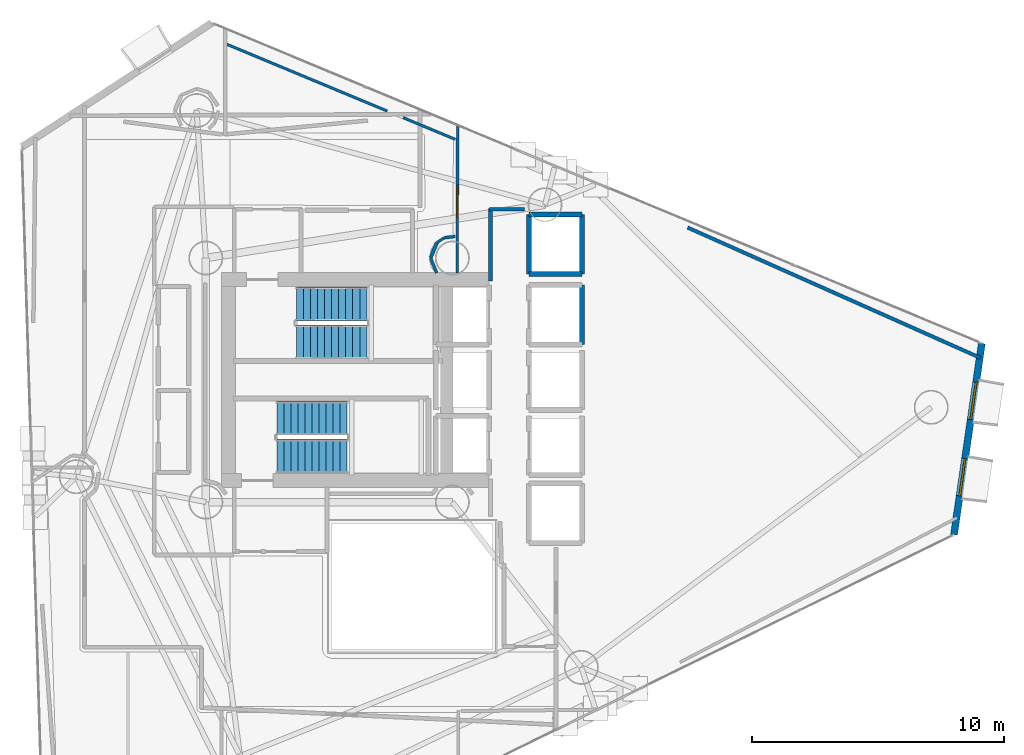
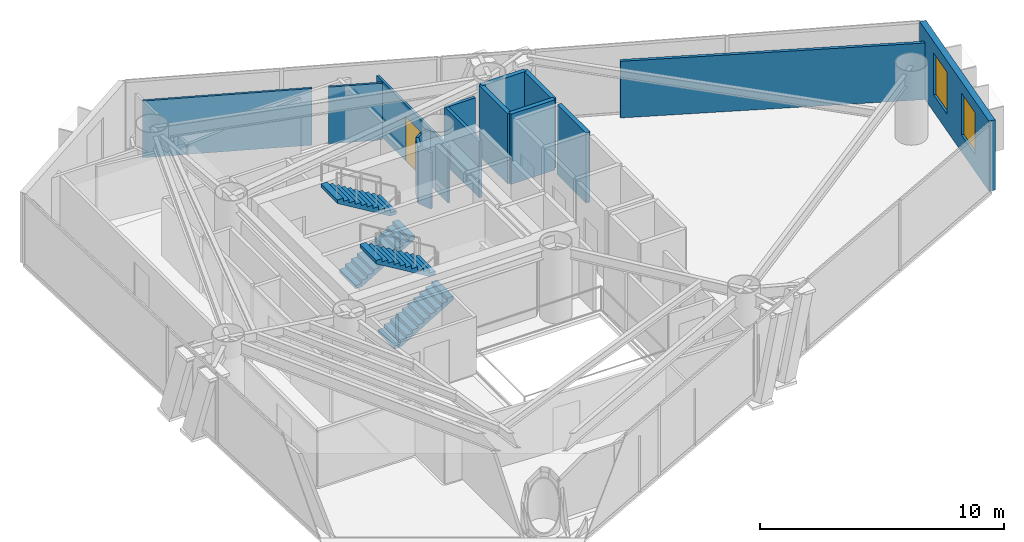
# One storey, part 21 of 23: 16 walls, 4 stair flights, 2 windows, 1 door, 3 openings, 2 elements without a shape of their own.
"""IFC4 building model written with IfcOpenShell, lengths in metres."""

from ifc_helpers import new_model, si_unit, direction, frame, frame_2d, origin, place, context, subcontext, project, spatial, polyline, rectangle, outline, extrude, material, layer, layer_set, type_object, element, fill, aggregate, save


model = new_model("IFC4")

# Units and contexts
model_context = context("Model", 3, precision=1e-05, world=origin(), true_north=direction((0.0, 1.0)))
body_context = subcontext(model_context, "Body", "Model", "MODEL_VIEW")
ifc_project = project(units=[si_unit("LENGTHUNIT", "METRE"), si_unit("AREAUNIT", "SQUARE_METRE"), si_unit("VOLUMEUNIT", "CUBIC_METRE"), si_unit("PLANEANGLEUNIT", "RADIAN"), si_unit("MASSUNIT", "GRAM", prefix="KILO")], contexts=[model_context])

# Site, building, storey
site_placement = place(None, origin())
site = spatial("IfcSite", under=ifc_project, at=site_placement, CompositionType="ELEMENT")
building_placement = place(site_placement, origin())
building = spatial("IfcBuilding", under=site, at=building_placement, Name="Qianvela Tower", CompositionType="ELEMENT")
storey_placement = place(building_placement, frame((0.0, 0.0, 162.39990234375)))
storey = spatial("IfcBuildingStorey", under=building, at=storey_placement, Name="L41", CompositionType="ELEMENT", Elevation=162.39990234375)

# Wall, openings, windows
ifc_material_1 = material(Name="Terracotta Cladding on Concrete C40", Category="masonry")
ifc_layer_1 = layer(ifc_material_1, 0.280029296875)
ifc_layer_set_1 = layer_set([ifc_layer_1], Name="Terracotta Cladding on Concrete C40")
wall_type_1 = type_object("IfcWallType", Name="TERRACOTTA-WALL-280", PredefinedType="SOLIDWALL", material=ifc_layer_set_1)
wall_1_placement = place(storey_placement, frame((58.3408203125, 22.55419921875, 0.0), z_axis=(0.0, 0.0, 1.0), x_axis=(0.143708360634, 0.989620082195, 0.0)))
wall_1 = element("IfcWall", 1, at=wall_1_placement, inside=storey, type_object=wall_type_1, Name="L41 Terracotta Chamfer Facet Wall 1", PredefinedType="SOLIDWALL", context=body_context, shape_type="SweptSolid", body=[
    extrude(rectangle(XDim=7.6806640625, YDim=0.280029296875, at=frame_2d((3.84033203125, 0.0))), origin(), (0.0, 0.0, 1.0), 3.52001953125),
])
opening_1_placement = place(wall_1_placement, frame((1.55419921875, 0.0, 0.85009765625)))
opening_1 = element("IfcOpeningElement", 2, at=opening_1_placement, cuts=wall_1, Name="Opening W-02", PredefinedType="OPENING", context=body_context, shape_type="SweptSolid", body=[
    extrude(rectangle(XDim=1.5, YDim=2.10009765625, at=frame_2d((0.75, 1.050048828125))), frame((0.0, 0.14990234375, 0.0), z_axis=(0.0, -1.0, 0.0), x_axis=(1.0, 0.0, 0.0)), (0.0, 0.0, 1.0), 0.300048828125),
])
opening_2_placement = place(wall_1_placement, frame((4.626220703125, 0.0, 0.85009765625)))
opening_2 = element("IfcOpeningElement", 3, at=opening_2_placement, cuts=wall_1, Name="Opening W-02", PredefinedType="OPENING", context=body_context, shape_type="SweptSolid", body=[
    extrude(rectangle(XDim=1.5, YDim=2.10009765625, at=frame_2d((0.75, 1.050048828125))), frame((0.0, 0.14990234375, 0.0), z_axis=(0.0, -1.0, 0.0), x_axis=(1.0, 0.0, 0.0)), (0.0, 0.0, 1.0), 0.300048828125),
])
ifc_material_2 = material(Name="Thermally Broken Aluminium and Low-E Glass", Category="aluminium")
window_type = type_object("IfcWindowType", Name="WIN-TC-1500x2100", PartitioningType="DOUBLE_PANEL_VERTICAL", PredefinedType="WINDOW", material=ifc_material_2)
window_1_placement = place(opening_1_placement, origin())
window_1 = element("IfcWindow", 4, at=window_1_placement, inside=storey, type_object=window_type, Name="L41 Chamfer Facet Window 1.1", OverallHeight=2.10009765625, OverallWidth=1.5, PartitioningType="SINGLE_PANEL", PredefinedType="WINDOW", context=body_context, shape_type="SweptSolid", body=[
    extrude(rectangle(XDim=1.5, YDim=2.10009765625, at=frame_2d((0.75, 1.050048828125))), frame((0.0, 0.030029296875, 0.0), z_axis=(0.0, -1.0, 0.0), x_axis=(1.0, 0.0, 0.0)), (0.0, 0.0, 1.0), 0.06005859375),
])
fill(opening_1, window_1)
window_2_placement = place(opening_2_placement, origin())
window_2 = element("IfcWindow", 5, at=window_2_placement, inside=storey, type_object=window_type, Name="L41 Chamfer Facet Window 1.2", OverallHeight=2.10009765625, OverallWidth=1.5, PartitioningType="SINGLE_PANEL", PredefinedType="WINDOW", context=body_context, shape_type="SweptSolid", body=[
    extrude(rectangle(XDim=1.5, YDim=2.10009765625, at=frame_2d((0.75, 1.050048828125))), frame((0.0, 0.030029296875, 0.0), z_axis=(0.0, -1.0, 0.0), x_axis=(1.0, 0.0, 0.0)), (0.0, 0.0, 1.0), 0.06005859375),
])
fill(opening_2, window_2)

# Walls
ifc_material_3 = material(Name="Fire-Rated Acoustic Gypsum Board")
ifc_layer_2 = layer(ifc_material_3, 0.14990234375)
ifc_layer_set_2 = layer_set([ifc_layer_2], Name="Fire-Rated Acoustic Gypsum Board")
wall_type_2 = type_object("IfcWallType", Name="WT-CORR-150", PredefinedType="PARTITIONING", material=ifc_layer_set_2)
wall_2_placement = place(storey_placement, frame((39.910888671875, 32.639892578125, 0.0), z_axis=(0.0, 0.0, 1.0), x_axis=(0.0, 1.0, 0.0)))
element("IfcWall", 6, at=wall_2_placement, inside=storey, type_object=wall_type_2, Name="L41 Partition 12", PredefinedType="PARTITIONING", context=body_context, shape_type="SweptSolid", body=[
    extrude(rectangle(XDim=2.880126953125, YDim=0.14990234375, at=frame_2d((1.43994140625, 0.0))), origin(), (0.0, 0.0, 1.0), 2.840087890625),
])
wall_3_placement = place(storey_placement, frame((39.8798828125, 35.489013671875, 0.0), z_axis=(0.0, 0.0, 1.0), x_axis=(1.0, 0.0, 0.0)))
element("IfcWall", 7, at=wall_3_placement, inside=storey, type_object=wall_type_2, Name="L41 Partition 13", PredefinedType="PARTITIONING", context=body_context, shape_type="SweptSolid", body=[
    extrude(rectangle(XDim=1.3828125, YDim=0.14990234375, at=frame_2d((0.69140625, 0.0))), origin(), (0.0, 0.0, 1.0), 2.840087890625),
])

# Wall, opening, door
ifc_material_4 = material(Name="Lightweight Gypsum Room Partition")
ifc_layer_3 = layer(ifc_material_4, 0.10498046875)
ifc_layer_set_3 = layer_set([ifc_layer_3], Name="Lightweight Gypsum Room Partition")
wall_type_3 = type_object("IfcWallType", Name="WT-PART-105", PredefinedType="PARTITIONING", material=ifc_layer_set_3)
wall_4_placement = place(storey_placement, frame((38.59375, 32.9580078125, 0.0), z_axis=(0.0, 0.0, 1.0), x_axis=(0.002446602671, 0.999997007063, 0.0)))
wall_4 = element("IfcWall", 8, at=wall_4_placement, inside=storey, type_object=wall_type_3, Name="L41 Partition 94", PredefinedType="PARTITIONING", context=body_context, shape_type="SweptSolid", body=[
    extrude(rectangle(XDim=5.887451171875, YDim=0.10498046875, at=frame_2d((2.94384765625, 0.0))), origin(), (0.0, 0.0, 1.0), 2.840087890625),
])
opening_3_placement = place(wall_4_placement, frame((2.234619140625, 0.0, 0.0)))
opening_3 = element("IfcOpeningElement", 9, at=opening_3_placement, cuts=wall_4, Name="Opening D-LG1", PredefinedType="OPENING", context=body_context, shape_type="SweptSolid", body=[
    extrude(rectangle(XDim=1.25, YDim=2.199951171875, at=frame_2d((0.625, 1.10009765625))), frame((0.0, 0.0625, 0.0), z_axis=(0.0, -1.0, 0.0), x_axis=(1.0, 0.0, 0.0)), (0.0, 0.0, 1.0), 0.125),
])
ifc_material_5 = material(Name="Anodised Aluminium Acoustic Glass Door", Category="aluminium")
door_type = type_object("IfcDoorType", Name="DT-LOUNGE-1250", OperationType="NOTDEFINED", PredefinedType="DOOR", material=ifc_material_5)
door_placement = place(opening_3_placement, origin())
door = element("IfcDoor", 10, at=door_placement, inside=storey, type_object=door_type, Name="L41 Door Quiet Reading Study L41-04 to Media Practice Cinema L41-03", OperationType="SINGLE_SWING_LEFT", OverallHeight=2.199951171875, OverallWidth=1.25, PredefinedType="DOOR", context=body_context, shape_type="SweptSolid", body=[
    extrude(rectangle(XDim=1.25, YDim=2.199951171875, at=frame_2d((0.625, 1.10009765625))), frame((0.0, 0.02490234375, 0.0), z_axis=(0.0, -1.0, 0.0), x_axis=(1.0, 0.0, 0.0)), (0.0, 0.0, 1.0), 0.050048828125),
])
fill(opening_3, door)

# Walls
wall_5_placement = place(storey_placement, frame((29.330078125, 42.08935546875, 0.0), z_axis=(0.0, 0.0, 1.0), x_axis=(0.923257907731, -0.384180733265, 0.0)))
element("IfcWall", 11, at=wall_5_placement, inside=storey, type_object=wall_type_3, Name="L41 Partition 112", PredefinedType="PARTITIONING", context=body_context, shape_type="SweptSolid", body=[
    extrude(rectangle(XDim=7.020263671875, YDim=0.10498046875, at=frame_2d((3.51025390625, 0.0))), origin(), (0.0, 0.0, 1.0), 2.840087890625),
])
wall_6_placement = place(storey_placement, frame((38.063232421875, 34.34716796875, 0.0), z_axis=(0.0, 0.0, 1.0), x_axis=(-0.83170430964, -0.555218822922, 0.0)))
element("IfcWall", 12, at=wall_6_placement, inside=storey, type_object=wall_type_3, Name="L41 Partition 115", PredefinedType="PARTITIONING", context=body_context, shape_type="SweptSolid", body=[
    extrude(rectangle(XDim=0.325927734375, YDim=0.10498046875, at=frame_2d((0.1630859375, 0.0))), origin(), (0.0, 0.0, 1.0), 2.840087890625),
])
wall_7_placement = place(storey_placement, frame((36.44140625, 39.13037109375, 0.0), z_axis=(0.0, 0.0, 1.0), x_axis=(0.923215709741, -0.384282127202, 0.0)))
element("IfcWall", 13, at=wall_7_placement, inside=storey, type_object=wall_type_3, Name="L41 Partition 112 trim 1", PredefinedType="PARTITIONING", context=body_context, shape_type="SweptSolid", body=[
    extrude(rectangle(XDim=2.237060546875, YDim=0.10498046875, at=frame_2d((1.11865234375, 0.0))), origin(), (0.0, 0.0, 1.0), 2.840087890625),
])
ifc_material_6 = material(Name="Insulated Gypsum Stud Partition")
ifc_layer_4 = layer(ifc_material_6, 0.1201171875)
ifc_layer_set_4 = layer_set([ifc_layer_4], Name="Insulated Gypsum Stud Partition")
wall_type_4 = type_object("IfcWallType", Name="WT-PART-120", PredefinedType="PARTITIONING", material=ifc_layer_set_4)
wall_8_placement = place(storey_placement, frame((38.501953125, 34.405517578125, 0.0), z_axis=(0.0, 0.0, 1.0), x_axis=(-0.992260340351, -0.124174945004, 0.0)))
element("IfcWall", 14, at=wall_8_placement, inside=storey, type_object=wall_type_4, Name="L41 Partition 114", PredefinedType="PARTITIONING", context=body_context, shape_type="SweptSolid", body=[
    extrude(rectangle(XDim=0.4287109375, YDim=0.1201171875, at=frame_2d((0.21435546875, 0.0))), origin(), (0.0, 0.0, 1.0), 2.840087890625),
])
wall_9_placement = place(storey_placement, frame((37.536376953125, 33.5380859375, 0.0), z_axis=(0.0, 0.0, 1.0), x_axis=(0.382626535499, -0.923903097912, 0.0)))
element("IfcWall", 15, at=wall_9_placement, inside=storey, type_object=wall_type_4, Name="L41 Partition 117", PredefinedType="PARTITIONING", context=body_context, shape_type="SweptSolid", body=[
    extrude(rectangle(XDim=0.6279296875, YDim=0.1201171875, at=frame_2d((0.31396484375, 0.0))), origin(), (0.0, 0.0, 1.0), 2.840087890625),
])
ifc_material_7 = material(Name="Acoustic Double Gypsum Stud Partition")
ifc_layer_5 = layer(ifc_material_7, 0.139892578125)
ifc_layer_set_5 = layer_set([ifc_layer_5], Name="Acoustic Double Gypsum Stud Partition")
wall_type_5 = type_object("IfcWallType", Name="WT-ROOM-140", PredefinedType="PARTITIONING", material=ifc_layer_set_5)
wall_10_placement = place(storey_placement, frame((47.7509765625, 34.760986328125, 0.0), z_axis=(0.0, 0.0, 1.0), x_axis=(0.913601061289, -0.406611732261, 0.0)))
element("IfcWall", 16, at=wall_10_placement, inside=storey, type_object=wall_type_5, Name="L41 Partition 95 seg 2", PredefinedType="PARTITIONING", context=body_context, shape_type="SweptSolid", body=[
    extrude(rectangle(XDim=12.730224609375, YDim=0.139892578125, at=frame_2d((6.365234375, 0.0))), origin(), (0.0, 0.0, 1.0), 2.840087890625),
])
wall_11_placement = place(storey_placement, frame((37.781005859375, 34.15234375, 0.0), z_axis=(0.0, 0.0, 1.0), x_axis=(-0.382824178437, -0.923821221018, 0.0)))
element("IfcWall", 17, at=wall_11_placement, inside=storey, type_object=wall_type_5, Name="L41 Partition 116", PredefinedType="PARTITIONING", context=body_context, shape_type="SweptSolid", body=[
    extrude(rectangle(XDim=0.638916015625, YDim=0.139892578125, at=frame_2d((0.3193359375, 0.0))), origin(), (0.0, 0.0, 1.0), 2.840087890625),
])
ifc_material_8 = material(Name="Concrete C50", Category="concrete")
ifc_layer_6 = layer(ifc_material_8, 0.199951171875)
ifc_layer_set_6 = layer_set([ifc_layer_6], Name="Concrete C50")
wall_type_6 = type_object("IfcWallType", Name="WT-SHAFT-200", PredefinedType="SOLIDWALL", material=ifc_layer_set_6)
wall_12_placement = place(storey_placement, frame((43.550048828125, 30.1201171875, 0.0), z_axis=(0.0, 0.0, 1.0), x_axis=(0.0, 1.0, 0.0)))
element("IfcWall", 18, at=wall_12_placement, inside=storey, type_object=wall_type_6, Name="L41 Lift PL-M1 E Shaft Wall", PredefinedType="SOLIDWALL", context=body_context, shape_type="SweptSolid", body=[
    extrude(rectangle(XDim=2.35986328125, YDim=0.199951171875, at=frame_2d((1.179931640625, 0.0))), origin(), (0.0, 0.0, 1.0), 3.52001953125),
])
for number, where, z_axis, x_axis, name in (
    (19, (43.550048828125, 32.919921875, 0.0), (0.0, 0.0, 1.0), (0.0, 1.0, 0.0), "L41 Lift PL-H3 E Shaft Wall"),
    (20, (41.449951171875, 32.919921875, 0.0), (0.0, 0.0, 1.0), (0.0, 1.0, 0.0), "L41 Lift PL-H3 W Shaft Wall"),
):
    element("IfcWall", number, at=place(storey_placement, frame(where, z_axis=z_axis, x_axis=x_axis)), inside=storey, type_object=wall_type_6, Name=name, PredefinedType="SOLIDWALL", context=body_context, shape_type="SweptSolid", body=[
        extrude(rectangle(XDim=2.360107421875, YDim=0.199951171875, at=frame_2d((1.18017578125, 0.0))), origin(), (0.0, 0.0, 1.0), 3.52001953125),
    ])
for number, where, z_axis, x_axis, name in (
    (21, (41.449951171875, 35.280029296875, 0.0), (0.0, 0.0, 1.0), (1.0, 0.0, 0.0), "L41 Lift PL-H3 N Shaft Wall"),
    (22, (41.449951171875, 32.919921875, 0.0), (0.0, 0.0, 1.0), (1.0, 0.0, 0.0), "L41 Lift PL-H3 S Shaft Wall"),
):
    element("IfcWall", number, at=place(storey_placement, frame(where, z_axis=z_axis, x_axis=x_axis)), inside=storey, type_object=wall_type_6, Name=name, PredefinedType="SOLIDWALL", context=body_context, shape_type="SweptSolid", body=[
        extrude(rectangle(XDim=2.10009765625, YDim=0.199951171875, at=frame_2d((1.050048828125, 0.0))), origin(), (0.0, 0.0, 1.0), 3.52001953125),
    ])

# Stair, stair flights
ifc_material_9 = material(Name="Concrete C40", Category="concrete")
stair_type = type_object("IfcStairType", Name="ST-DOGLEG-1350-R168-N22", PredefinedType="HALF_TURN_STAIR", material=ifc_material_9)
stair_1_placement = place(storey_placement, origin())
stair_1 = element("IfcStair", 23, at=stair_1_placement, inside=storey, type_object=stair_type, Name="L41 Smoke-Proof Core Stair ST-1", PredefinedType="HALF_TURN_STAIR")
ifc_material_10 = material(Name="Concrete C40", Category="concrete")
stair_flight_type = type_object("IfcStairFlightType", Name="STF-STRAIGHT-R168-P11", PredefinedType="STRAIGHT", material=ifc_material_10)
stair_flight_1_placement = place(storey_placement, frame((32.199951171875, 30.215087890625, 0.0), z_axis=(0.0, 0.0, 1.0), x_axis=(1.0, 0.0, 0.0)))
stair_flight_1 = element("IfcStairFlight", 24, at=stair_flight_1_placement, type_object=stair_flight_type, Name="ST-1 flight 1", NumberOfRisers=11, NumberOfTreads=10, PredefinedType="STRAIGHT", RiserHeight=0.168181818, TreadLength=0.28, context=body_context, shape_type="SweptSolid", body=[
    extrude(outline(polyline([(0.0, 0.0), (0.0, 0.168212890625), (0.280029296875, 0.168212890625), (0.280029296875, 0.33642578125), (0.56005859375, 0.33642578125), (0.56005859375, 0.504638671875), (0.840087890625, 0.504638671875), (0.840087890625, 0.672607421875), (1.1201171875, 0.672607421875), (1.1201171875, 0.8408203125), (1.39990234375, 0.8408203125), (1.39990234375, 1.009033203125), (1.679931640625, 1.009033203125), (1.679931640625, 1.17724609375), (1.9599609375, 1.17724609375), (1.9599609375, 1.345458984375), (2.239990234375, 1.345458984375), (2.239990234375, 1.513671875), (2.52001953125, 1.513671875), (2.52001953125, 1.681884765625), (2.800048828125, 1.681884765625), (2.800048828125, 1.85009765625), (2.800048828125, 1.5068359375), (0.291015625, 0.0), (0.0, 0.0)])), frame((0.0, 0.675048828125, 0.0), z_axis=(0.0, -1.0, 0.0), x_axis=(1.0, 0.0, 0.0)), (0.0, 0.0, 1.0), 1.35009765625),
])
stair_flight_2_placement = place(storey_placement, frame((35.0, 31.72509765625, 1.85009765625), z_axis=(0.0, 0.0, 1.0), x_axis=(-1.0, 0.0, 0.0)))
stair_flight_2 = element("IfcStairFlight", 25, at=stair_flight_2_placement, type_object=stair_flight_type, Name="ST-1 flight 2", NumberOfRisers=11, NumberOfTreads=10, PredefinedType="STRAIGHT", RiserHeight=0.168181818, TreadLength=0.28, context=body_context, shape_type="SweptSolid", body=[
    extrude(outline(polyline([(0.0, 0.0), (0.0, 0.168212890625), (0.280029296875, 0.168212890625), (0.280029296875, 0.33642578125), (0.56005859375, 0.33642578125), (0.56005859375, 0.504638671875), (0.840087890625, 0.504638671875), (0.840087890625, 0.672607421875), (1.1201171875, 0.672607421875), (1.1201171875, 0.8408203125), (1.39990234375, 0.8408203125), (1.39990234375, 1.009033203125), (1.679931640625, 1.009033203125), (1.679931640625, 1.17724609375), (1.9599609375, 1.17724609375), (1.9599609375, 1.345458984375), (2.239990234375, 1.345458984375), (2.239990234375, 1.513671875), (2.52001953125, 1.513671875), (2.52001953125, 1.681884765625), (2.800048828125, 1.681884765625), (2.800048828125, 1.85009765625), (2.800048828125, 1.5068359375), (0.291015625, 0.0), (0.0, 0.0)])), frame((0.0, 0.675048828125, 0.0), z_axis=(0.0, -1.0, 0.0), x_axis=(1.0, 0.0, 0.0)), (0.0, 0.0, 1.0), 1.35009765625),
])
aggregate(stair_1, [stair_flight_1, stair_flight_2])

stair_2_placement = place(storey_placement, origin())
stair_2 = element("IfcStair", 26, at=stair_2_placement, inside=storey, type_object=stair_type, Name="L41 Smoke-Proof Core Stair ST-2", PredefinedType="HALF_TURN_STAIR")
stair_flight_3_placement = place(storey_placement, frame((31.419921875, 25.675048828125, 0.0), z_axis=(0.0, 0.0, 1.0), x_axis=(1.0, 0.0, 0.0)))
stair_flight_3 = element("IfcStairFlight", 27, at=stair_flight_3_placement, type_object=stair_flight_type, Name="ST-2 flight 1", NumberOfRisers=11, NumberOfTreads=10, PredefinedType="STRAIGHT", RiserHeight=0.168181818, TreadLength=0.28, context=body_context, shape_type="SweptSolid", body=[
    extrude(outline(polyline([(0.0, 0.0), (0.0, 0.168212890625), (0.280029296875, 0.168212890625), (0.280029296875, 0.33642578125), (0.56005859375, 0.33642578125), (0.56005859375, 0.504638671875), (0.840087890625, 0.504638671875), (0.840087890625, 0.672607421875), (1.1201171875, 0.672607421875), (1.1201171875, 0.8408203125), (1.39990234375, 0.8408203125), (1.39990234375, 1.009033203125), (1.679931640625, 1.009033203125), (1.679931640625, 1.17724609375), (1.9599609375, 1.17724609375), (1.9599609375, 1.345458984375), (2.239990234375, 1.345458984375), (2.239990234375, 1.513671875), (2.52001953125, 1.513671875), (2.52001953125, 1.681884765625), (2.800048828125, 1.681884765625), (2.800048828125, 1.85009765625), (2.800048828125, 1.5068359375), (0.291015625, 0.0), (0.0, 0.0)])), frame((0.0, 0.675048828125, 0.0), z_axis=(0.0, -1.0, 0.0), x_axis=(1.0, 0.0, 0.0)), (0.0, 0.0, 1.0), 1.35009765625),
])
stair_flight_4_placement = place(storey_placement, frame((34.219970703125, 27.18505859375, 1.85009765625), z_axis=(0.0, 0.0, 1.0), x_axis=(-1.0, 0.0, 0.0)))
stair_flight_4 = element("IfcStairFlight", 28, at=stair_flight_4_placement, type_object=stair_flight_type, Name="ST-2 flight 2", NumberOfRisers=11, NumberOfTreads=10, PredefinedType="STRAIGHT", RiserHeight=0.168181818, TreadLength=0.28, context=body_context, shape_type="SweptSolid", body=[
    extrude(outline(polyline([(0.0, 0.0), (0.0, 0.168212890625), (0.280029296875, 0.168212890625), (0.280029296875, 0.33642578125), (0.56005859375, 0.33642578125), (0.56005859375, 0.504638671875), (0.840087890625, 0.504638671875), (0.840087890625, 0.672607421875), (1.1201171875, 0.672607421875), (1.1201171875, 0.8408203125), (1.39990234375, 0.8408203125), (1.39990234375, 1.009033203125), (1.679931640625, 1.009033203125), (1.679931640625, 1.17724609375), (1.9599609375, 1.17724609375), (1.9599609375, 1.345458984375), (2.239990234375, 1.345458984375), (2.239990234375, 1.513671875), (2.52001953125, 1.513671875), (2.52001953125, 1.681884765625), (2.800048828125, 1.681884765625), (2.800048828125, 1.85009765625), (2.800048828125, 1.5068359375), (0.291015625, 0.0), (0.0, 0.0)])), frame((0.0, 0.675048828125, 0.0), z_axis=(0.0, -1.0, 0.0), x_axis=(1.0, 0.0, 0.0)), (0.0, 0.0, 1.0), 1.35009765625),
])
aggregate(stair_2, [stair_flight_3, stair_flight_4])

save(model, "model.ifc")
